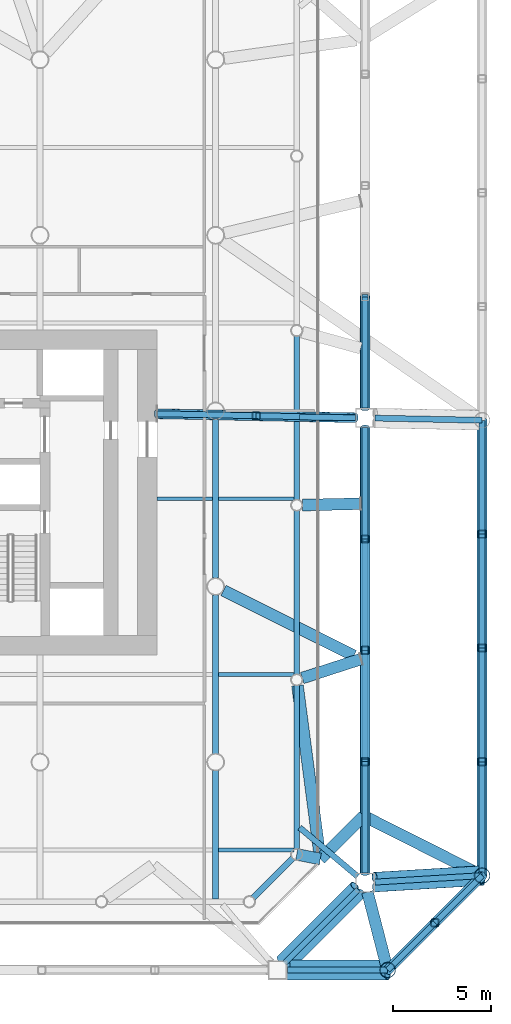
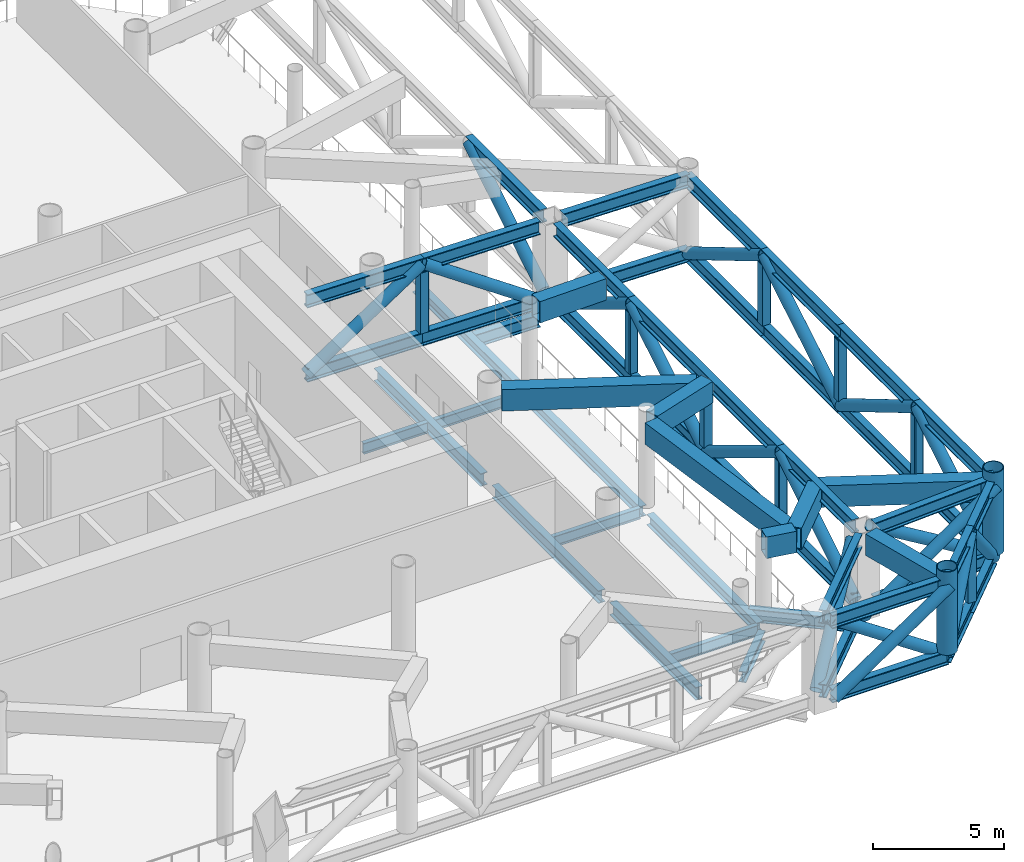
# One storey, part 4 of 22: 51 beams, 29 members.
"""IFC4 building model written with IfcOpenShell, lengths in metres."""

from ifc_helpers import new_model, si_unit, direction, frame, origin, origin_2d, place, context, subcontext, project, spatial, hollow_rectangle, hollow_circle, i_section, extrude, material, material_profile, profile_set, type_object, element, save


model = new_model("IFC4")

# Units and contexts
model_context = context("Model", 3, precision=1e-05, world=origin(), true_north=direction((0.0, 1.0)))
body_context = subcontext(model_context, "Body", "Model", "MODEL_VIEW")
ifc_project = project(units=[si_unit("LENGTHUNIT", "METRE"), si_unit("AREAUNIT", "SQUARE_METRE"), si_unit("VOLUMEUNIT", "CUBIC_METRE"), si_unit("PLANEANGLEUNIT", "RADIAN"), si_unit("MASSUNIT", "GRAM", prefix="KILO")], contexts=[model_context])

# Site, building, storey
site_placement = place(None, origin())
site = spatial("IfcSite", under=ifc_project, at=site_placement, CompositionType="ELEMENT")
building_placement = place(site_placement, origin())
building = spatial("IfcBuilding", under=site, at=building_placement, Name="Tskaro Facet Tower", CompositionType="ELEMENT")
storey_placement = place(building_placement, frame((0.0, 0.0, 57.60009765625)))
storey = spatial("IfcBuildingStorey", under=building, at=storey_placement, Name="L13", CompositionType="ELEMENT", Elevation=57.60009765625)

# Beams
ifc_material_1 = material(Name="Steel S355J2", Category="steel")
ifc_material_profile_1 = material_profile(ifc_material_1, hollow_rectangle(XDim=0.60009765625, YDim=1.0, WallThickness=0.0400390625, at=origin_2d()), Name="BOX 600x1000x40")
ifc_profile_set_1 = profile_set([ifc_material_profile_1], Name="Steel S355J2")
beam_type_1 = type_object("IfcBeamType", Name="BOX 600x1000x40 transfer girder", PredefinedType="BEAM", material=ifc_profile_set_1)
beam_1_placement = place(storey_placement, frame((23.364013671875, -22.965087890625, 3.579833984375), z_axis=(-0.981404037528, 0.191953419152, 0.0), x_axis=(-0.191953419152, -0.981404037528, 0.0)))
element("IfcBeam", 1, at=beam_1_placement, inside=storey, type_object=beam_type_1, Name="BOX 600x1000x40 TG2-3", PredefinedType="BEAM", context=body_context, shape_type="SweptSolid", body=[
    extrude(hollow_rectangle(XDim=0.60009765625, YDim=1.0, WallThickness=0.0400390625, at=origin_2d()), origin(), (0.0, 0.0, 1.0), 1.22998046875),
])
beam_2_placement = place(storey_placement, frame((23.337890625, -22.7666015625, 3.579833984375), z_axis=(-0.130286682593, 0.991476363984, 0.0), x_axis=(-0.991476363984, -0.130286682593, 0.0)))
element("IfcBeam", 2, at=beam_2_placement, inside=storey, type_object=beam_type_1, Name="BOX 600x1000x40 TG2-4", PredefinedType="BEAM", context=body_context, shape_type="SweptSolid", body=[
    extrude(hollow_rectangle(XDim=0.60009765625, YDim=1.0, WallThickness=0.0400390625, at=origin_2d()), origin(), (0.0, 0.0, 1.0), 8.767822265625),
])
beam_3_placement = place(storey_placement, frame((25.4150390625, -4.755126953125, 3.579833984375), z_axis=(-0.999714663464, -0.023887060427, 0.0), x_axis=(0.023887060427, -0.999714663464, 0.0)))
element("IfcBeam", 3, at=beam_3_placement, inside=storey, type_object=beam_type_1, Name="BOX 600x1000x40 TG2-28", PredefinedType="BEAM", context=body_context, shape_type="SweptSolid", body=[
    extrude(hollow_rectangle(XDim=0.60009765625, YDim=1.0, WallThickness=0.0400390625, at=origin_2d()), origin(), (0.0, 0.0, 1.0), 2.9638671875),
])
beam_4_placement = place(storey_placement, frame((25.576171875, -20.7529296875, 3.579833984375), z_axis=(-0.707106781187, -0.707106781187, 0.0), x_axis=(0.707106781187, -0.707106781187, 0.0)))
element("IfcBeam", 4, at=beam_4_placement, inside=storey, type_object=beam_type_1, Name="BOX 600x1000x40 TG2-29", PredefinedType="BEAM", context=body_context, shape_type="SweptSolid", body=[
    extrude(hollow_rectangle(XDim=0.60009765625, YDim=1.0, WallThickness=0.0400390625, at=origin_2d()), origin(), (0.0, 0.0, 1.0), 3.12841796875),
])
beam_5_placement = place(storey_placement, frame((25.441650390625, -12.721923828125, 3.579833984375), z_axis=(-0.951754537887, -0.306860391076, 0.0), x_axis=(0.306860391076, -0.951754537887, 0.0)))
element("IfcBeam", 5, at=beam_5_placement, inside=storey, type_object=beam_type_1, Name="BOX 600x1000x40 TG2-32", PredefinedType="BEAM", context=body_context, shape_type="SweptSolid", body=[
    extrude(hollow_rectangle(XDim=0.60009765625, YDim=1.0, WallThickness=0.0400390625, at=origin_2d()), origin(), (0.0, 0.0, 1.0), 3.15625),
])
beam_6_placement = place(storey_placement, frame((25.083740234375, -12.54296875, 3.579833984375), z_axis=(-0.89436837978, 0.447331198609, 0.0), x_axis=(-0.447331198609, -0.89436837978, 0.0)))
element("IfcBeam", 6, at=beam_6_placement, inside=storey, type_object=beam_type_1, Name="BOX 600x1000x40 TG2-33", PredefinedType="BEAM", context=body_context, shape_type="SweptSolid", body=[
    extrude(hollow_rectangle(XDim=0.60009765625, YDim=1.0, WallThickness=0.0400390625, at=origin_2d()), origin(), (0.0, 0.0, 1.0), 7.47314453125),
])
beam_7_placement = place(storey_placement, frame((26.81591796875, -28.658935546875, 3.579833984375), z_axis=(-0.250111887375, 0.96821694046, 0.0), x_axis=(-0.96821694046, -0.250111887375, 0.0)))
element("IfcBeam", 7, at=beam_7_placement, inside=storey, type_object=beam_type_1, Name="BOX 600x1000x40 TG2-42", PredefinedType="BEAM", context=body_context, shape_type="SweptSolid", body=[
    extrude(hollow_rectangle(XDim=0.60009765625, YDim=1.0, WallThickness=0.0400390625, at=origin_2d()), origin(), (0.0, 0.0, 1.0), 4.1357421875),
])
beam_8_placement = place(storey_placement, frame((31.658935546875, -23.81591796875, 3.579833984375), z_axis=(-0.893158044687, 0.449742934586, 0.0), x_axis=(-0.449742934586, -0.893158044687, 0.0)))
element("IfcBeam", 8, at=beam_8_placement, inside=storey, type_object=beam_type_1, Name="BOX 600x1000x40 TG2-50", PredefinedType="BEAM", context=body_context, shape_type="SweptSolid", body=[
    extrude(hollow_rectangle(XDim=0.60009765625, YDim=1.0, WallThickness=0.0400390625, at=origin_2d()), origin(), (0.0, 0.0, 1.0), 6.79052734375),
])

# Members
ifc_material_2 = material(Name="Steel S355J2H", Category="steel")
ifc_material_profile_2 = material_profile(ifc_material_2, hollow_circle(Radius=0.25390625, WallThickness=0.02490234375, at=origin_2d()), Name="CHS 508x25")
ifc_profile_set_2 = profile_set([ifc_material_profile_2], Name="Steel S355J2H")
member_type_1 = type_object("IfcMemberType", Name="CHS 508x25 belt diagonal", PredefinedType="BRACE", material=ifc_profile_set_2)
member_1_placement = place(storey_placement, frame((21.35400390625, -28.125732421875, 0.309814453125), z_axis=(0.593220288147, 0.593220288147, 0.544223648385), x_axis=(-0.707106781187, 0.707106781187, 0.0)))
element("IfcMember", 9, at=member_1_placement, inside=storey, type_object=member_type_1, Name="CHS 508x25 BD1-031", PredefinedType="BRACE", context=body_context, shape_type="SweptSolid", body=[
    extrude(hollow_circle(Radius=0.25390625, WallThickness=0.02490234375, at=origin_2d()), origin(), (0.0, 0.0, 1.0), 6.358154296875),
])
member_2_placement = place(storey_placement, frame((21.713134765625, -28.485107421875, 3.77001953125), z_axis=(0.593231660249, 0.593231660249, -0.54419885571), x_axis=(-0.707106781187, 0.707106781187, 0.0)))
element("IfcMember", 10, at=member_2_placement, inside=storey, type_object=member_type_1, Name="CHS 508x25 BD1-032", PredefinedType="BRACE", context=body_context, shape_type="SweptSolid", body=[
    extrude(hollow_circle(Radius=0.25390625, WallThickness=0.02490234375, at=origin_2d()), origin(), (0.0, 0.0, 1.0), 6.3583984375),
])
member_3_placement = place(storey_placement, frame((25.658935546875, -23.679931640625, 0.309814453125), z_axis=(0.0, 0.855036102786, 0.51856847468), x_axis=(-1.0, 0.0, 0.0)))
element("IfcMember", 11, at=member_3_placement, inside=storey, type_object=member_type_1, Name="CHS 508x25 BD1-041", PredefinedType="BRACE", context=body_context, shape_type="SweptSolid", body=[
    extrude(hollow_circle(Radius=0.25390625, WallThickness=0.02490234375, at=origin_2d()), origin(), (0.0, 0.0, 1.0), 6.672607421875),
])
for number, where, z_axis, x_axis, name in (
    (12, (25.658935546875, -17.974609375, 3.77001953125), (0.0, 0.855045941451, -0.518552251955), (-1.0, 0.0, 0.0), "CHS 508x25 BD1-042"),
    (13, (25.658935546875, -12.26904296875, 0.309814453125), (0.0, 0.855045941451, 0.518552251955), (-1.0, 0.0, 0.0), "CHS 508x25 BD1-043"),
    (14, (25.658935546875, -6.5634765625, 3.77001953125), (0.0, 0.855045941451, -0.518552251955), (-1.0, 0.0, 0.0), "CHS 508x25 BD1-044"),
):
    element("IfcMember", number, at=place(storey_placement, frame(where, z_axis=z_axis, x_axis=x_axis)), inside=storey, type_object=member_type_1, Name=name, PredefinedType="BRACE", context=body_context, shape_type="SweptSolid", body=[
        extrude(hollow_circle(Radius=0.25390625, WallThickness=0.02490234375, at=origin_2d()), origin(), (0.0, 0.0, 1.0), 6.6728515625),
    ])
member_4_placement = place(storey_placement, frame((25.658935546875, 0.14208984375, 0.309814453125), z_axis=(0.0, 0.855026263198, 0.518584698233), x_axis=(-1.0, 0.0, 0.0)))
element("IfcMember", 15, at=member_4_placement, inside=storey, type_object=member_type_1, Name="CHS 508x25 BD1-051", PredefinedType="BRACE", context=body_context, shape_type="SweptSolid", body=[
    extrude(hollow_circle(Radius=0.25390625, WallThickness=0.02490234375, at=origin_2d()), origin(), (0.0, 0.0, 1.0), 6.67236328125),
])
for number, where, z_axis, x_axis, name in (
    (16, (26.81591796875, -28.658935546875, 0.309814453125), (0.497427555887, 0.497377406925, 0.710761241011), (-0.707071134435, 0.707142426141, 0.0), "CHS 508x25 TB1-03-D1"),
    (17, (29.237548828125, -26.237548828125, 3.77001953125), (0.497377406925, 0.497427555887, -0.710761241011), (-0.707142426141, 0.707071134435, 0.0), "CHS 508x25 TB1-03-D2"),
):
    element("IfcMember", number, at=place(storey_placement, frame(where, z_axis=z_axis, x_axis=x_axis)), inside=storey, type_object=member_type_1, Name=name, PredefinedType="BRACE", context=body_context, shape_type="SweptSolid", body=[
        extrude(hollow_circle(Radius=0.25390625, WallThickness=0.02490234375, at=origin_2d()), origin(), (0.0, 0.0, 1.0), 4.868408203125),
    ])
for number, where, z_axis, x_axis, name in (
    (18, (31.658935546875, -23.81591796875, 0.309814453125), (0.0, 0.860114339917, 0.510101286285), (-1.0, 0.0, 0.0), "CHS 508x25 TB1-04-D1"),
    (19, (31.658935546875, -17.9814453125, 3.77001953125), (0.0, 0.860114339917, -0.510101286285), (-1.0, 0.0, 0.0), "CHS 508x25 TB1-04-D2"),
    (20, (31.658935546875, -12.14697265625, 0.309814453125), (0.0, 0.860114339917, 0.510101286285), (-1.0, 0.0, 0.0), "CHS 508x25 TB1-04-D3"),
    (21, (31.658935546875, -6.3125, 3.77001953125), (0.0, 0.860114339917, -0.510101286285), (-1.0, 0.0, 0.0), "CHS 508x25 TB1-04-D4"),
):
    element("IfcMember", number, at=place(storey_placement, frame(where, z_axis=z_axis, x_axis=x_axis)), inside=storey, type_object=member_type_1, Name=name, PredefinedType="BRACE", context=body_context, shape_type="SweptSolid", body=[
        extrude(hollow_circle(Radius=0.25390625, WallThickness=0.02490234375, at=origin_2d()), origin(), (0.0, 0.0, 1.0), 6.783447265625),
    ])
for number, where, z_axis, x_axis, name in (
    (22, (21.679931640625, -28.9130859375, 0.309814453125), (0.82934148651, 0.0, 0.55874206818), (0.0, 1.0, 0.0), "CHS 508x25 TL1-03A-D1"),
    (23, (21.679931640625, -28.405029296875, 3.77001953125), (0.82934148651, 0.0, -0.55874206818), (0.0, 1.0, 0.0), "CHS 508x25 TL1-03A-D2"),
):
    element("IfcMember", number, at=place(storey_placement, frame(where, z_axis=z_axis, x_axis=x_axis)), inside=storey, type_object=member_type_1, Name=name, PredefinedType="BRACE", context=body_context, shape_type="SweptSolid", body=[
        extrude(hollow_circle(Radius=0.25390625, WallThickness=0.02490234375, at=origin_2d()), origin(), (0.0, 0.0, 1.0), 6.19287109375),
    ])
for number, where, z_axis, x_axis, name in (
    (24, (26.173583984375, -24.4033203125, 0.309814453125), (0.845342068606, 0.051288562771, 0.531757717738), (-0.060560601039, 0.998164522312, 0.0), "CHS 508x25 TL1-04A-D1"),
    (25, (26.142822265625, -23.896240234375, 3.77001953125), (0.845342068606, 0.051288562771, -0.531757717738), (-0.060560601039, 0.998164522312, 0.0), "CHS 508x25 TL1-04A-D2"),
):
    element("IfcMember", number, at=place(storey_placement, frame(where, z_axis=z_axis, x_axis=x_axis)), inside=storey, type_object=member_type_1, Name=name, PredefinedType="BRACE", context=body_context, shape_type="SweptSolid", body=[
        extrude(hollow_circle(Radius=0.25390625, WallThickness=0.02490234375, at=origin_2d()), origin(), (0.0, 0.0, 1.0), 6.507080078125),
    ])
for number, where, z_axis, x_axis, name in (
    (26, (15.0, -0.144775390625, 0.309814453125), (0.826353125065, -0.016522296454, 0.562909874149), (0.01999023709, 0.999800175246, 0.0), "CHS 508x25 TL1-05A-D1"),
    (27, (20.07958984375, -0.246337890625, 3.77001953125), (0.826353125065, -0.016522296454, -0.562909874149), (0.01999023709, 0.999800175246, 0.0), "CHS 508x25 TL1-05A-D2"),
):
    element("IfcMember", number, at=place(storey_placement, frame(where, z_axis=z_axis, x_axis=x_axis)), inside=storey, type_object=member_type_1, Name=name, PredefinedType="BRACE", context=body_context, shape_type="SweptSolid", body=[
        extrude(hollow_circle(Radius=0.25390625, WallThickness=0.02490234375, at=origin_2d()), origin(), (0.0, 0.0, 1.0), 6.14697265625),
    ])
ifc_material_profile_3 = material_profile(ifc_material_2, hollow_circle(Radius=0.406494140625, WallThickness=0.035888671875, at=origin_2d()), Name="CHS 812.8x36")
ifc_profile_set_3 = profile_set([ifc_material_profile_3], Name="Steel S355J2H")
member_type_2 = type_object("IfcMemberType", Name="CHS 812.8x36 transfer node post", PredefinedType="POST", material=ifc_profile_set_3)
for number, where, z_axis, x_axis, name in (
    (28, (26.81591796875, -28.658935546875, 0.619873046875), (0.0, 0.0, 1.0), (1.0, 0.0, 0.0), "CHS 812.8x36 TN1-03"),
    (29, (31.658935546875, -23.81591796875, 0.619873046875), (0.0, 0.0, 1.0), (1.0, 0.0, 0.0), "CHS 812.8x36 TN1-04"),
):
    element("IfcMember", number, at=place(storey_placement, frame(where, z_axis=z_axis, x_axis=x_axis)), inside=storey, type_object=member_type_2, Name=name, PredefinedType="POST", context=body_context, shape_type="SweptSolid", body=[
        extrude(hollow_circle(Radius=0.406494140625, WallThickness=0.035888671875, at=origin_2d()), origin(), (0.0, 0.0, 1.0), 3.880126953125),
    ])

# Beams
ifc_material_profile_4 = material_profile(ifc_material_1, i_section(OverallWidth=0.300048828125, OverallDepth=0.5, WebThickness=0.014404296875, FlangeThickness=0.028076171875, FilletRadius=0.027099609375, at=origin_2d()), Name="HE 500 B")
ifc_profile_set_4 = profile_set([ifc_material_profile_4], Name="Steel S355J2")
beam_type_2 = type_object("IfcBeamType", Name="HE 500 B ring beam", PredefinedType="BEAM", material=ifc_profile_set_4)
beam_9_placement = place(storey_placement, frame((19.92333984375, -24.962646484375, -0.5), z_axis=(0.707106781187, 0.707106781187, 0.0), x_axis=(-0.707106781187, 0.707106781187, 0.0)))
element("IfcBeam", 30, at=beam_9_placement, inside=storey, type_object=beam_type_2, Name="HE 500 B EB7-1", PredefinedType="BEAM", context=body_context, shape_type="SweptSolid", body=[
    extrude(i_section(OverallWidth=0.300048828125, OverallDepth=0.5, WebThickness=0.014404296875, FlangeThickness=0.028076171875, FilletRadius=0.027099609375, at=origin_2d()), origin(), (0.0, 0.0, 1.0), 2.884033203125),
])
for number, where, z_axis, x_axis, name in (
    (31, (22.156982421875, -22.4541015625, -0.5), (0.0, 1.0, 0.0), (-1.0, 0.0, 0.0), "HE 500 B EB8-1"),
    (32, (22.156982421875, -13.506103515625, -0.5), (0.0, 1.0, 0.0), (-1.0, 0.0, 0.0), "HE 500 B EB9-1"),
):
    element("IfcBeam", number, at=place(storey_placement, frame(where, z_axis=z_axis, x_axis=x_axis)), inside=storey, type_object=beam_type_2, Name=name, PredefinedType="BEAM", context=body_context, shape_type="SweptSolid", body=[
        extrude(i_section(OverallWidth=0.300048828125, OverallDepth=0.5, WebThickness=0.014404296875, FlangeThickness=0.028076171875, FilletRadius=0.027099609375, at=origin_2d()), origin(), (0.0, 0.0, 1.0), 8.398193359375),
    ])
beam_10_placement = place(storey_placement, frame((22.156982421875, -4.55810546875, -0.5), z_axis=(0.0, 1.0, 0.0), x_axis=(-1.0, 0.0, 0.0)))
element("IfcBeam", 33, at=beam_10_placement, inside=storey, type_object=beam_type_2, Name="HE 500 B EB10-1", PredefinedType="BEAM", context=body_context, shape_type="SweptSolid", body=[
    extrude(i_section(OverallWidth=0.300048828125, OverallDepth=0.5, WebThickness=0.014404296875, FlangeThickness=0.028076171875, FilletRadius=0.027099609375, at=origin_2d()), origin(), (0.0, 0.0, 1.0), 8.399169921875),
])
ifc_material_profile_5 = material_profile(ifc_material_1, i_section(OverallWidth=0.300048828125, OverallDepth=0.590087890625, WebThickness=0.012939453125, FlangeThickness=0.02490234375, FilletRadius=0.027099609375, at=origin_2d()), Name="HE 600 A")
ifc_profile_set_5 = profile_set([ifc_material_profile_5], Name="Steel S355J2")
beam_type_3 = type_object("IfcBeamType", Name="HE 600 A girder", PredefinedType="BEAM", material=ifc_profile_set_5)
beam_11_placement = place(storey_placement, frame((18.0, -25.007080078125, -0.545166015625), z_axis=(0.0, 1.0, 0.0), x_axis=(-1.0, 0.0, 0.0)))
element("IfcBeam", 34, at=beam_11_placement, inside=storey, type_object=beam_type_3, Name="HE 600 A GB6-1-1", PredefinedType="BEAM", context=body_context, shape_type="SweptSolid", body=[
    extrude(i_section(OverallWidth=0.300048828125, OverallDepth=0.590087890625, WebThickness=0.012939453125, FlangeThickness=0.02490234375, FilletRadius=0.027099609375, at=origin_2d()), origin(), (0.0, 0.0, 1.0), 6.579833984375),
])
for number, where, z_axis, x_axis, name in (
    (35, (18.0, -17.57275390625, -0.545166015625), (0.0, 1.0, 0.0), (-1.0, 0.0, 0.0), "HE 600 A GB6-2-1"),
    (36, (18.0, -8.57275390625, -0.545166015625), (0.0, 1.0, 0.0), (-1.0, 0.0, 0.0), "HE 600 A GB6-3-1"),
):
    element("IfcBeam", number, at=place(storey_placement, frame(where, z_axis=z_axis, x_axis=x_axis)), inside=storey, type_object=beam_type_3, Name=name, PredefinedType="BEAM", context=body_context, shape_type="SweptSolid", body=[
        extrude(i_section(OverallWidth=0.300048828125, OverallDepth=0.590087890625, WebThickness=0.012939453125, FlangeThickness=0.02490234375, FilletRadius=0.027099609375, at=origin_2d()), origin(), (0.0, 0.0, 1.0), 8.1455078125),
    ])
ifc_material_profile_6 = material_profile(ifc_material_1, i_section(OverallWidth=0.300048828125, OverallDepth=0.60009765625, WebThickness=0.015380859375, FlangeThickness=0.030029296875, FilletRadius=0.027099609375, at=origin_2d()), Name="HE 600 B")
ifc_profile_set_6 = profile_set([ifc_material_profile_6], Name="Steel S355J2")
beam_type_4 = type_object("IfcBeamType", Name="HE 600 B floor strut", PredefinedType="BEAM", material=ifc_profile_set_6)
beam_12_placement = place(storey_placement, frame((25.276611328125, -23.85791015625, -0.550048828125), z_axis=(-0.764829666553, 0.64423255208, 0.0), x_axis=(-0.64423255208, -0.764829666553, 0.0)))
element("IfcBeam", 37, at=beam_12_placement, inside=storey, type_object=beam_type_4, Name="HE 600 B ES1-04", PredefinedType="BEAM", context=body_context, shape_type="SweptSolid", body=[
    extrude(i_section(OverallWidth=0.300048828125, OverallDepth=0.60009765625, WebThickness=0.015380859375, FlangeThickness=0.030029296875, FilletRadius=0.027099609375, at=origin_2d()), origin(), (0.0, 0.0, 1.0), 3.8828125),
])
beam_13_placement = place(storey_placement, frame((25.158935546875, -0.3525390625, -0.550048828125), z_axis=(-0.999937130901, 0.011213128244, 0.0), x_axis=(-0.011213128244, -0.999937130901, 0.0)))
element("IfcBeam", 38, at=beam_13_placement, inside=storey, type_object=beam_type_4, Name="HE 600 B ES1-05", PredefinedType="BEAM", context=body_context, shape_type="SweptSolid", body=[
    extrude(i_section(OverallWidth=0.300048828125, OverallDepth=0.60009765625, WebThickness=0.015380859375, FlangeThickness=0.030029296875, FilletRadius=0.027099609375, at=origin_2d()), origin(), (0.0, 0.0, 1.0), 2.852294921875),
])
ifc_material_profile_7 = material_profile(ifc_material_1, i_section(OverallWidth=0.304931640625, OverallDepth=0.6201171875, WebThickness=0.02099609375, FlangeThickness=0.0400390625, FilletRadius=0.027099609375, at=origin_2d()), Name="HE 600 M")
ifc_profile_set_7 = profile_set([ifc_material_profile_7], Name="Steel S355J2")
beam_type_5 = type_object("IfcBeamType", Name="HE 600 M belt chord", PredefinedType="BEAM", material=ifc_profile_set_7)
for number, where, z_axis, x_axis, name in (
    (39, (21.533447265625, -28.305419921875, 3.77001953125), (0.707106781187, 0.707106781187, 0.0), (-0.707106781187, 0.707106781187, 0.0), "HE 600 M BT1-03T1"),
    (40, (21.533447265625, -28.305419921875, 0.309814453125), (0.707106781187, 0.707106781187, 0.0), (-0.707106781187, 0.707106781187, 0.0), "HE 600 M BT1-03B1"),
):
    element("IfcBeam", number, at=place(storey_placement, frame(where, z_axis=z_axis, x_axis=x_axis)), inside=storey, type_object=beam_type_5, Name=name, PredefinedType="BEAM", context=body_context, shape_type="SweptSolid", body=[
        extrude(i_section(OverallWidth=0.304931640625, OverallDepth=0.6201171875, WebThickness=0.02099609375, FlangeThickness=0.0400390625, FilletRadius=0.027099609375, at=origin_2d()), origin(), (0.0, 0.0, 1.0), 5.33447265625),
    ])
beam_14_placement = place(storey_placement, frame((25.658935546875, -23.679931640625, 3.77001953125), z_axis=(0.0, 1.0, 0.0), x_axis=(-1.0, 0.0, 0.0)))
element("IfcBeam", 41, at=beam_14_placement, inside=storey, type_object=beam_type_5, Name="HE 600 M BT1-04T1", PredefinedType="BEAM", context=body_context, shape_type="SweptSolid", body=[
    extrude(i_section(OverallWidth=0.304931640625, OverallDepth=0.6201171875, WebThickness=0.02099609375, FlangeThickness=0.0400390625, FilletRadius=0.027099609375, at=origin_2d()), origin(), (0.0, 0.0, 1.0), 5.705322265625),
])
beam_15_placement = place(storey_placement, frame((25.658935546875, -17.974609375, 3.77001953125), z_axis=(0.0, 1.0, 0.0), x_axis=(-1.0, 0.0, 0.0)))
element("IfcBeam", 42, at=beam_15_placement, inside=storey, type_object=beam_type_5, Name="HE 600 M BT1-04T2", PredefinedType="BEAM", context=body_context, shape_type="SweptSolid", body=[
    extrude(i_section(OverallWidth=0.304931640625, OverallDepth=0.6201171875, WebThickness=0.02099609375, FlangeThickness=0.0400390625, FilletRadius=0.027099609375, at=origin_2d()), origin(), (0.0, 0.0, 1.0), 11.4111328125),
])
beam_16_placement = place(storey_placement, frame((25.658935546875, -6.5634765625, 3.77001953125), z_axis=(0.0, 1.0, 0.0), x_axis=(-1.0, 0.0, 0.0)))
element("IfcBeam", 43, at=beam_16_placement, inside=storey, type_object=beam_type_5, Name="HE 600 M BT1-04T3", PredefinedType="BEAM", context=body_context, shape_type="SweptSolid", body=[
    extrude(i_section(OverallWidth=0.304931640625, OverallDepth=0.6201171875, WebThickness=0.02099609375, FlangeThickness=0.0400390625, FilletRadius=0.027099609375, at=origin_2d()), origin(), (0.0, 0.0, 1.0), 5.70556640625),
])
beam_17_placement = place(storey_placement, frame((25.658935546875, -23.679931640625, 0.309814453125), z_axis=(0.0, 1.0, 0.0), x_axis=(-1.0, 0.0, 0.0)))
element("IfcBeam", 44, at=beam_17_placement, inside=storey, type_object=beam_type_5, Name="HE 600 M BT1-04B1", PredefinedType="BEAM", context=body_context, shape_type="SweptSolid", body=[
    extrude(i_section(OverallWidth=0.304931640625, OverallDepth=0.6201171875, WebThickness=0.02099609375, FlangeThickness=0.0400390625, FilletRadius=0.027099609375, at=origin_2d()), origin(), (0.0, 0.0, 1.0), 11.410888671875),
])
beam_18_placement = place(storey_placement, frame((25.658935546875, -12.26904296875, 0.309814453125), z_axis=(0.0, 1.0, 0.0), x_axis=(-1.0, 0.0, 0.0)))
element("IfcBeam", 45, at=beam_18_placement, inside=storey, type_object=beam_type_5, Name="HE 600 M BT1-04B2", PredefinedType="BEAM", context=body_context, shape_type="SweptSolid", body=[
    extrude(i_section(OverallWidth=0.304931640625, OverallDepth=0.6201171875, WebThickness=0.02099609375, FlangeThickness=0.0400390625, FilletRadius=0.027099609375, at=origin_2d()), origin(), (0.0, 0.0, 1.0), 11.4111328125),
])
beam_19_placement = place(storey_placement, frame((25.658935546875, 0.14208984375, 3.77001953125), z_axis=(0.0, 1.0, 0.0), x_axis=(-1.0, 0.0, 0.0)))
element("IfcBeam", 46, at=beam_19_placement, inside=storey, type_object=beam_type_5, Name="HE 600 M BT1-05T1", PredefinedType="BEAM", context=body_context, shape_type="SweptSolid", body=[
    extrude(i_section(OverallWidth=0.304931640625, OverallDepth=0.6201171875, WebThickness=0.02099609375, FlangeThickness=0.0400390625, FilletRadius=0.027099609375, at=origin_2d()), origin(), (0.0, 0.0, 1.0), 5.705078125),
])
for number, where, z_axis, x_axis, name in (
    (47, (26.81591796875, -28.658935546875, 3.77001953125), (0.707142426141, 0.707071134435, 0.0), (-0.707071134435, 0.707142426141, 0.0), "HE 600 M TB1-03-T1"),
    (48, (26.81591796875, -28.658935546875, 0.309814453125), (0.707142426141, 0.707071134435, 0.0), (-0.707071134435, 0.707142426141, 0.0), "HE 600 M TB1-03-B1"),
    (49, (29.237548828125, -26.237548828125, 3.77001953125), (0.707071134435, 0.707142426141, 0.0), (-0.707142426141, 0.707071134435, 0.0), "HE 600 M TB1-03-T2"),
    (50, (29.237548828125, -26.237548828125, 0.309814453125), (0.707071134435, 0.707142426141, 0.0), (-0.707142426141, 0.707071134435, 0.0), "HE 600 M TB1-03-B2"),
):
    element("IfcBeam", number, at=place(storey_placement, frame(where, z_axis=z_axis, x_axis=x_axis)), inside=storey, type_object=beam_type_5, Name=name, PredefinedType="BEAM", context=body_context, shape_type="SweptSolid", body=[
        extrude(i_section(OverallWidth=0.304931640625, OverallDepth=0.6201171875, WebThickness=0.02099609375, FlangeThickness=0.0400390625, FilletRadius=0.027099609375, at=origin_2d()), origin(), (0.0, 0.0, 1.0), 3.424560546875),
    ])
for number, where, z_axis, x_axis, name in (
    (51, (31.658935546875, -23.81591796875, 3.77001953125), (0.0, 1.0, 0.0), (-1.0, 0.0, 0.0), "HE 600 M TB1-04-T1"),
    (52, (31.658935546875, -23.81591796875, 0.309814453125), (0.0, 1.0, 0.0), (-1.0, 0.0, 0.0), "HE 600 M TB1-04-B1"),
    (53, (31.658935546875, -17.9814453125, 3.77001953125), (0.0, 1.0, 0.0), (-1.0, 0.0, 0.0), "HE 600 M TB1-04-T2"),
    (54, (31.658935546875, -17.9814453125, 0.309814453125), (0.0, 1.0, 0.0), (-1.0, 0.0, 0.0), "HE 600 M TB1-04-B2"),
    (55, (31.658935546875, -12.14697265625, 3.77001953125), (0.0, 1.0, 0.0), (-1.0, 0.0, 0.0), "HE 600 M TB1-04-T3"),
    (56, (31.658935546875, -12.14697265625, 0.309814453125), (0.0, 1.0, 0.0), (-1.0, 0.0, 0.0), "HE 600 M TB1-04-B3"),
    (57, (31.658935546875, -6.3125, 3.77001953125), (0.0, 1.0, 0.0), (-1.0, 0.0, 0.0), "HE 600 M TB1-04-T4"),
    (58, (31.658935546875, -6.3125, 0.309814453125), (0.0, 1.0, 0.0), (-1.0, 0.0, 0.0), "HE 600 M TB1-04-B4"),
):
    element("IfcBeam", number, at=place(storey_placement, frame(where, z_axis=z_axis, x_axis=x_axis)), inside=storey, type_object=beam_type_5, Name=name, PredefinedType="BEAM", context=body_context, shape_type="SweptSolid", body=[
        extrude(i_section(OverallWidth=0.304931640625, OverallDepth=0.6201171875, WebThickness=0.02099609375, FlangeThickness=0.0400390625, FilletRadius=0.027099609375, at=origin_2d()), origin(), (0.0, 0.0, 1.0), 5.83447265625),
    ])
for number, where, z_axis, x_axis, name in (
    (59, (21.679931640625, -28.658935546875, 3.77001953125), (1.0, 0.0, 0.0), (0.0, 1.0, 0.0), "HE 600 M TL1-03A-T1"),
    (60, (21.679931640625, -28.658935546875, 0.309814453125), (1.0, 0.0, 0.0), (0.0, 1.0, 0.0), "HE 600 M TL1-03A-B1"),
):
    element("IfcBeam", number, at=place(storey_placement, frame(where, z_axis=z_axis, x_axis=x_axis)), inside=storey, type_object=beam_type_5, Name=name, PredefinedType="BEAM", context=body_context, shape_type="SweptSolid", body=[
        extrude(i_section(OverallWidth=0.304931640625, OverallDepth=0.6201171875, WebThickness=0.02099609375, FlangeThickness=0.0400390625, FilletRadius=0.027099609375, at=origin_2d()), origin(), (0.0, 0.0, 1.0), 5.135986328125),
    ])
for number, where, z_axis, x_axis, name in (
    (61, (26.158203125, -24.149658203125, 3.77001953125), (0.998164522312, 0.060560601039, 0.0), (-0.060560601039, 0.998164522312, 0.0), "HE 600 M TL1-04A-T1"),
    (62, (26.158203125, -24.149658203125, 0.309814453125), (0.998164522312, 0.060560601039, 0.0), (-0.060560601039, 0.998164522312, 0.0), "HE 600 M TL1-04A-B1"),
):
    element("IfcBeam", number, at=place(storey_placement, frame(where, z_axis=z_axis, x_axis=x_axis)), inside=storey, type_object=beam_type_5, Name=name, PredefinedType="BEAM", context=body_context, shape_type="SweptSolid", body=[
        extrude(i_section(OverallWidth=0.304931640625, OverallDepth=0.6201171875, WebThickness=0.02099609375, FlangeThickness=0.0400390625, FilletRadius=0.027099609375, at=origin_2d()), origin(), (0.0, 0.0, 1.0), 5.5107421875),
    ])
for number, where, z_axis, x_axis, name in (
    (63, (15.0, -0.144775390625, 3.77001953125), (0.999800175246, -0.01999023709, 0.0), (0.01999023709, 0.999800175246, 0.0), "HE 600 M TL1-05A-T1"),
    (64, (15.0, -0.144775390625, 0.309814453125), (0.999800175246, -0.01999023709, 0.0), (0.01999023709, 0.999800175246, 0.0), "HE 600 M TL1-05A-B1"),
    (65, (20.07958984375, -0.246337890625, 3.77001953125), (0.999800175246, -0.01999023709, 0.0), (0.01999023709, 0.999800175246, 0.0), "HE 600 M TL1-05A-T2"),
    (66, (20.07958984375, -0.246337890625, 0.309814453125), (0.999800175246, -0.01999023709, 0.0), (0.01999023709, 0.999800175246, 0.0), "HE 600 M TL1-05A-B2"),
):
    element("IfcBeam", number, at=place(storey_placement, frame(where, z_axis=z_axis, x_axis=x_axis)), inside=storey, type_object=beam_type_5, Name=name, PredefinedType="BEAM", context=body_context, shape_type="SweptSolid", body=[
        extrude(i_section(OverallWidth=0.304931640625, OverallDepth=0.6201171875, WebThickness=0.02099609375, FlangeThickness=0.0400390625, FilletRadius=0.027099609375, at=origin_2d()), origin(), (0.0, 0.0, 1.0), 5.08056640625),
    ])
for number, where, z_axis, x_axis, name in (
    (67, (26.158935546875, -0.367919921875, 3.77001953125), (0.999799669399, -0.020015520725, 0.0), (0.020015520725, 0.999799669399, 0.0), "HE 600 M TL1-05B-T1"),
    (68, (26.158935546875, -0.367919921875, 0.309814453125), (0.999799669399, -0.020015520725, 0.0), (0.020015520725, 0.999799669399, 0.0), "HE 600 M TL1-05B-B1"),
):
    element("IfcBeam", number, at=place(storey_placement, frame(where, z_axis=z_axis, x_axis=x_axis)), inside=storey, type_object=beam_type_5, Name=name, PredefinedType="BEAM", context=body_context, shape_type="SweptSolid", body=[
        extrude(i_section(OverallWidth=0.304931640625, OverallDepth=0.6201171875, WebThickness=0.02099609375, FlangeThickness=0.0400390625, FilletRadius=0.027099609375, at=origin_2d()), origin(), (0.0, 0.0, 1.0), 5.501220703125),
    ])
ifc_material_profile_8 = material_profile(ifc_material_1, i_section(OverallWidth=0.199951171875, OverallDepth=0.5, WebThickness=0.01025390625, FlangeThickness=0.01611328125, FilletRadius=0.02099609375, at=origin_2d()), Name="IPE 500")
ifc_profile_set_8 = profile_set([ifc_material_profile_8], Name="Steel S355J2")
beam_type_6 = type_object("IfcBeamType", Name="IPE 500 secondary beam", PredefinedType="BEAM", material=ifc_profile_set_8)
for number, where, z_axis, x_axis, name in (
    (69, (18.14990234375, -22.5, -0.5), (1.0, 0.0, 0.0), (0.0, 1.0, 0.0), "IPE 500 SB1a-6-1"),
    (70, (18.14990234375, -13.5, -0.5), (1.0, 0.0, 0.0), (0.0, 1.0, 0.0), "IPE 500 SB2a-6-1"),
):
    element("IfcBeam", number, at=place(storey_placement, frame(where, z_axis=z_axis, x_axis=x_axis)), inside=storey, type_object=beam_type_6, Name=name, PredefinedType="BEAM", context=body_context, shape_type="SweptSolid", body=[
        extrude(i_section(OverallWidth=0.199951171875, OverallDepth=0.5, WebThickness=0.01025390625, FlangeThickness=0.01611328125, FilletRadius=0.02099609375, at=origin_2d()), origin(), (0.0, 0.0, 1.0), 3.857177734375),
    ])
beam_20_placement = place(storey_placement, frame((15.0, -4.5, -0.5), z_axis=(1.0, 0.0, 0.0), x_axis=(0.0, 1.0, 0.0)))
element("IfcBeam", 71, at=beam_20_placement, inside=storey, type_object=beam_type_6, Name="IPE 500 SB3a-3-1", PredefinedType="BEAM", context=body_context, shape_type="SweptSolid", body=[
    extrude(i_section(OverallWidth=0.199951171875, OverallDepth=0.5, WebThickness=0.01025390625, FlangeThickness=0.01611328125, FilletRadius=0.02099609375, at=origin_2d()), origin(), (0.0, 0.0, 1.0), 2.85009765625),
])
beam_21_placement = place(storey_placement, frame((18.14990234375, -4.5, -0.5), z_axis=(1.0, 0.0, 0.0), x_axis=(0.0, 1.0, 0.0)))
element("IfcBeam", 72, at=beam_21_placement, inside=storey, type_object=beam_type_6, Name="IPE 500 SB3a-4-1", PredefinedType="BEAM", context=body_context, shape_type="SweptSolid", body=[
    extrude(i_section(OverallWidth=0.199951171875, OverallDepth=0.5, WebThickness=0.01025390625, FlangeThickness=0.01611328125, FilletRadius=0.02099609375, at=origin_2d()), origin(), (0.0, 0.0, 1.0), 3.857177734375),
])

# Members
ifc_material_profile_9 = material_profile(ifc_material_2, hollow_rectangle(XDim=0.39990234375, YDim=0.39990234375, WallThickness=0.02490234375, InnerFilletRadius=0.03759765625, OuterFilletRadius=0.0625, at=origin_2d()), Name="SHS 400x400x25")
ifc_profile_set_9 = profile_set([ifc_material_profile_9], Name="Steel S355J2H")
member_type_3 = type_object("IfcMemberType", Name="SHS 400x400x25 belt post", PredefinedType="POST", material=ifc_profile_set_9)
for number, where, z_axis, x_axis, name in (
    (73, (25.658935546875, -17.974609375, 0.619873046875), (0.0, 0.0, 1.0), (1.0, 0.0, 0.0), "SHS 400x400x25 BP1-041"),
    (74, (25.658935546875, -12.26904296875, 0.619873046875), (0.0, 0.0, 1.0), (1.0, 0.0, 0.0), "SHS 400x400x25 BP1-042"),
    (75, (25.658935546875, -6.5634765625, 0.619873046875), (0.0, 0.0, 1.0), (1.0, 0.0, 0.0), "SHS 400x400x25 BP1-043"),
    (76, (29.237548828125, -26.237548828125, 0.619873046875), (0.0, 0.0, 1.0), (1.0, 0.0, 0.0), "SHS 400x400x25 TB1-03-P1"),
    (77, (31.658935546875, -17.9814453125, 0.619873046875), (0.0, 0.0, 1.0), (1.0, 0.0, 0.0), "SHS 400x400x25 TB1-04-P1"),
    (78, (31.658935546875, -12.14697265625, 0.619873046875), (0.0, 0.0, 1.0), (1.0, 0.0, 0.0), "SHS 400x400x25 TB1-04-P2"),
    (79, (31.658935546875, -6.3125, 0.619873046875), (0.0, 0.0, 1.0), (1.0, 0.0, 0.0), "SHS 400x400x25 TB1-04-P3"),
    (80, (20.07958984375, -0.246337890625, 0.619873046875), (0.0, 0.0, 1.0), (1.0, 0.0, 0.0), "SHS 400x400x25 TL1-05A-P1"),
):
    element("IfcMember", number, at=place(storey_placement, frame(where, z_axis=z_axis, x_axis=x_axis)), inside=storey, type_object=member_type_3, Name=name, PredefinedType="POST", context=body_context, shape_type="SweptSolid", body=[
        extrude(hollow_rectangle(XDim=0.39990234375, YDim=0.39990234375, WallThickness=0.02490234375, InnerFilletRadius=0.03759765625, OuterFilletRadius=0.0625, at=origin_2d()), origin(), (0.0, 0.0, 1.0), 2.840087890625),
    ])

save(model, "model.ifc")
